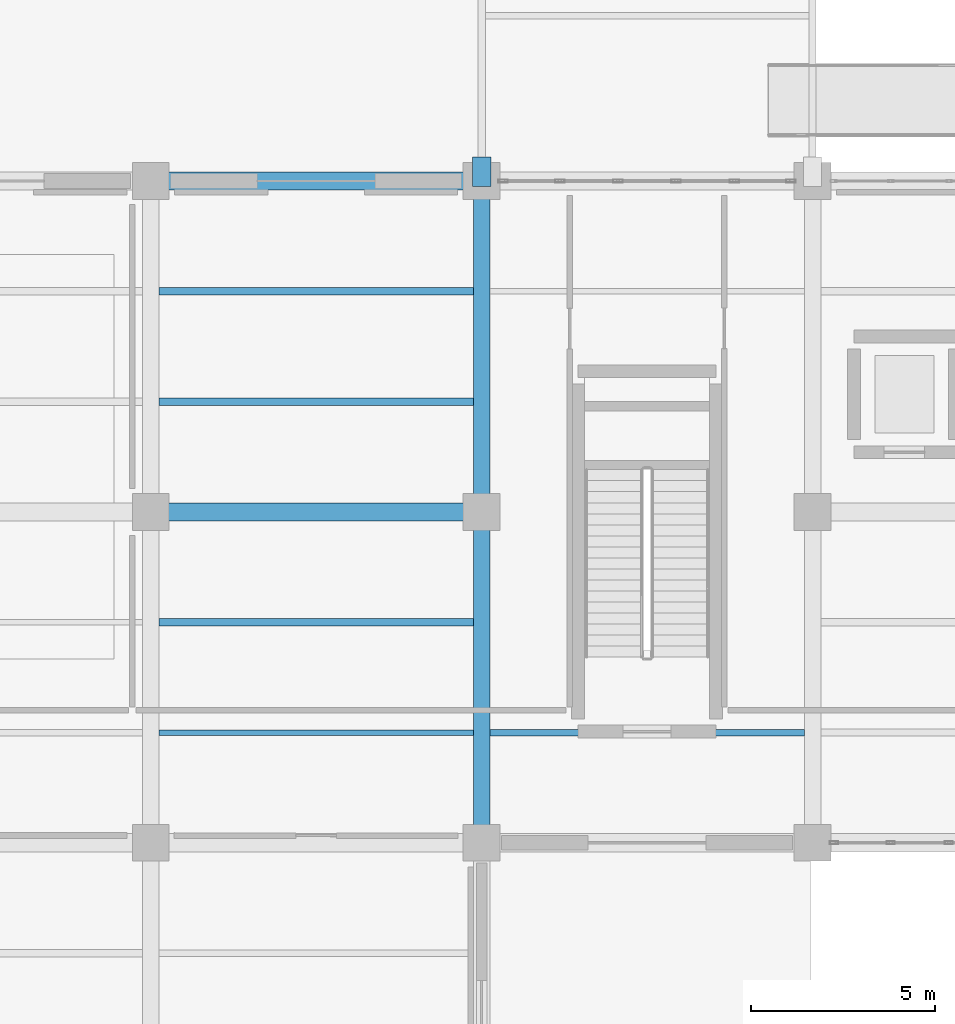
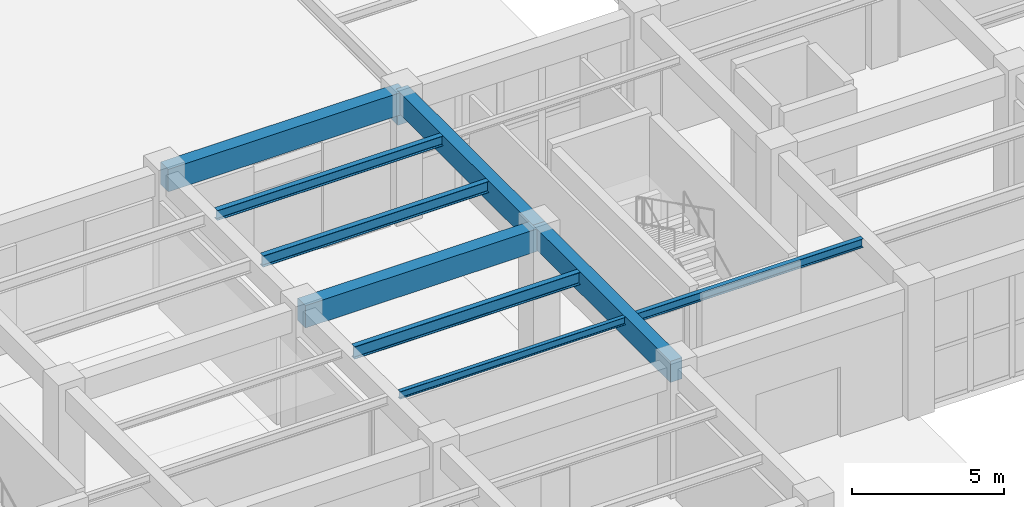
# One storey, part 79 of 140: 10 beams.
"""IFC4 building model written with IfcOpenShell, lengths in metres."""

from ifc_helpers import new_model, si_unit, direction, frame, origin, origin_2d, place, context, subcontext, project, spatial, rectangle, i_section, extrude, material, material_profile, profile_set, type_object, element, save


model = new_model("IFC4")

# Units and contexts
model_context = context("Model", 3, precision=1e-05, world=origin(), true_north=direction((0.0, 1.0)))
body_context = subcontext(model_context, "Body", "Model", "MODEL_VIEW")
ifc_project = project(units=[si_unit("LENGTHUNIT", "METRE"), si_unit("AREAUNIT", "SQUARE_METRE"), si_unit("VOLUMEUNIT", "CUBIC_METRE"), si_unit("PLANEANGLEUNIT", "RADIAN"), si_unit("MASSUNIT", "GRAM", prefix="KILO")], contexts=[model_context])

# Site, building, storey
site_placement = place(None, origin())
site = spatial("IfcSite", under=ifc_project, at=site_placement, CompositionType="ELEMENT")
building_placement = place(site_placement, origin())
building = spatial("IfcBuilding", under=site, at=building_placement, Name="Haizhuo Lancet Aquarium", CompositionType="ELEMENT")
storey_placement = place(building_placement, origin())
storey = spatial("IfcBuildingStorey", under=building, at=storey_placement, Name="L00", CompositionType="ELEMENT", Elevation=0.0)

# Beams
ifc_material_1 = material(Name="Concrete C40/50", Category="concrete")
ifc_material_profile_1 = material_profile(ifc_material_1, rectangle(XDim=0.449951171875, YDim=0.85009765625, at=origin_2d()), Name="RC-BM 450x850")
ifc_profile_set_1 = profile_set([ifc_material_profile_1], Name="Concrete C40/50")
beam_type_1 = type_object("IfcBeamType", Name="BM-RC-450x850", PredefinedType="BEAM", material=ifc_profile_set_1)
for number, where, z_axis, x_axis, name in (
    (1, (54.0, -27.0, 4.695068359375), (0.0, 1.0, 0.0), (-1.0, 0.0, 0.0), "L00 V3 primary girder BM-L00-V3-022"),
    (2, (54.0, -18.0, 4.695068359375), (0.0, 1.0, 0.0), (-1.0, 0.0, 0.0), "L00 V3 primary girder BM-L00-V3-024"),
):
    element("IfcBeam", number, at=place(storey_placement, frame(where, z_axis=z_axis, x_axis=x_axis)), inside=storey, type_object=beam_type_1, Name=name, PredefinedType="BEAM", context=body_context, shape_type="SweptSolid", body=[
        extrude(rectangle(XDim=0.449951171875, YDim=0.85009765625, at=origin_2d()), origin(), (0.0, 0.0, 1.0), 9.0),
    ])
ifc_material_profile_2 = material_profile(ifc_material_1, rectangle(XDim=0.5, YDim=0.89990234375, at=origin_2d()), Name="RC-BM 500x900")
ifc_profile_set_2 = profile_set([ifc_material_profile_2], Name="Concrete C40/50")
beam_type_2 = type_object("IfcBeamType", Name="BM-RC-500x900", PredefinedType="BEAM", material=ifc_profile_set_2)
for number, where, z_axis, x_axis, name in (
    (3, (45.0, -18.0, 4.669921875), (1.0, 0.0, 0.0), (0.0, 1.0, 0.0), "L00 V3 primary girder BM-L00-V3-019"),
    (4, (45.0, -9.0, 4.669921875), (1.0, 0.0, 0.0), (0.0, 1.0, 0.0), "L00 V3 primary girder BM-L00-V3-020"),
):
    element("IfcBeam", number, at=place(storey_placement, frame(where, z_axis=z_axis, x_axis=x_axis)), inside=storey, type_object=beam_type_2, Name=name, PredefinedType="BEAM", context=body_context, shape_type="SweptSolid", body=[
        extrude(rectangle(XDim=0.5, YDim=0.89990234375, at=origin_2d()), origin(), (0.0, 0.0, 1.0), 9.0),
    ])
beam_1_placement = place(storey_placement, frame((54.0, -9.14990234375, 4.205078125), z_axis=(0.0, 1.0, 0.0), x_axis=(-1.0, 0.0, 0.0)))
element("IfcBeam", 5, at=beam_1_placement, inside=storey, type_object=beam_type_2, Name="Reinforced concrete bridge bearing corbel SB-02 1S", PredefinedType="BEAM", context=body_context, shape_type="SweptSolid", body=[
    extrude(rectangle(XDim=0.5, YDim=0.89990234375, at=origin_2d()), origin(), (0.0, 0.0, 1.0), 0.7998046875),
])
ifc_material_2 = material(Name="Steel S355", Category="steel")
ifc_material_profile_3 = material_profile(ifc_material_2, i_section(OverallWidth=0.14990234375, OverallDepth=0.300048828125, WebThickness=0.006591796875, FlangeThickness=0.009033203125, FilletRadius=0.012939453125, at=origin_2d()), Name="HN 300x150x6.5x9")
ifc_profile_set_3 = profile_set([ifc_material_profile_3], Name="Steel S355")
beam_type_3 = type_object("IfcBeamType", Name="JST-ST-HN300", PredefinedType="JOIST", material=ifc_profile_set_3)
beam_2_placement = place(storey_placement, frame((45.22509765625, -24.0, 4.969970703125), z_axis=(1.0, 0.0, 0.0), x_axis=(0.0, 1.0, 0.0)))
element("IfcBeam", 6, at=beam_2_placement, inside=storey, type_object=beam_type_3, Name="L00 V3 secondary floor joist 13", PredefinedType="JOIST", context=body_context, shape_type="SweptSolid", body=[
    extrude(i_section(OverallWidth=0.14990234375, OverallDepth=0.300048828125, WebThickness=0.006591796875, FlangeThickness=0.009033203125, FilletRadius=0.012939453125, at=origin_2d()), origin(), (0.0, 0.0, 1.0), 8.5498046875),
])
ifc_material_profile_4 = material_profile(ifc_material_2, i_section(OverallWidth=0.175048828125, OverallDepth=0.35009765625, WebThickness=0.007080078125, FlangeThickness=0.010986328125, FilletRadius=0.013916015625, at=origin_2d()), Name="HN 350x175x7x11")
ifc_profile_set_4 = profile_set([ifc_material_profile_4], Name="Steel S355")
beam_type_4 = type_object("IfcBeamType", Name="JST-ST-HN350", PredefinedType="JOIST", material=ifc_profile_set_4)
beam_3_placement = place(storey_placement, frame((54.22509765625, -24.0, 4.945068359375), z_axis=(1.0, 0.0, 0.0), x_axis=(0.0, 1.0, 0.0)))
element("IfcBeam", 7, at=beam_3_placement, inside=storey, type_object=beam_type_4, Name="L00 V3 secondary floor joist 17", PredefinedType="JOIST", context=body_context, shape_type="SweptSolid", body=[
    extrude(i_section(OverallWidth=0.175048828125, OverallDepth=0.35009765625, WebThickness=0.007080078125, FlangeThickness=0.010986328125, FilletRadius=0.013916015625, at=origin_2d()), origin(), (0.0, 0.0, 1.0), 8.5498046875),
])
ifc_material_profile_5 = material_profile(ifc_material_2, i_section(OverallWidth=0.199951171875, OverallDepth=0.39990234375, WebThickness=0.008056640625, FlangeThickness=0.012939453125, FilletRadius=0.01611328125, at=origin_2d()), Name="HN 400x200x8x13")
ifc_profile_set_5 = profile_set([ifc_material_profile_5], Name="Steel S355")
beam_type_5 = type_object("IfcBeamType", Name="JST-ST-HN400", PredefinedType="JOIST", material=ifc_profile_set_5)
beam_4_placement = place(storey_placement, frame((45.22509765625, -12.0, 4.919921875), z_axis=(1.0, 0.0, 0.0), x_axis=(0.0, 1.0, 0.0)))
element("IfcBeam", 8, at=beam_4_placement, inside=storey, type_object=beam_type_5, Name="L00 V3 secondary floor joist 16", PredefinedType="JOIST", context=body_context, shape_type="SweptSolid", body=[
    extrude(i_section(OverallWidth=0.199951171875, OverallDepth=0.39990234375, WebThickness=0.008056640625, FlangeThickness=0.012939453125, FilletRadius=0.01611328125, at=origin_2d()), origin(), (0.0, 0.0, 1.0), 8.5498046875),
])
ifc_material_profile_6 = material_profile(ifc_material_2, i_section(OverallWidth=0.199951171875, OverallDepth=0.449951171875, WebThickness=0.009033203125, FlangeThickness=0.013916015625, FilletRadius=0.01806640625, at=origin_2d()), Name="HN 450x200x9x14")
ifc_profile_set_6 = profile_set([ifc_material_profile_6], Name="Steel S355")
beam_type_6 = type_object("IfcBeamType", Name="JST-ST-HN450", PredefinedType="JOIST", material=ifc_profile_set_6)
beam_5_placement = place(storey_placement, frame((45.22509765625, -15.0, 4.89501953125), z_axis=(1.0, 0.0, 0.0), x_axis=(0.0, 1.0, 0.0)))
element("IfcBeam", 9, at=beam_5_placement, inside=storey, type_object=beam_type_6, Name="L00 V3 secondary floor joist 15", PredefinedType="JOIST", context=body_context, shape_type="SweptSolid", body=[
    extrude(i_section(OverallWidth=0.199951171875, OverallDepth=0.449951171875, WebThickness=0.009033203125, FlangeThickness=0.013916015625, FilletRadius=0.01806640625, at=origin_2d()), origin(), (0.0, 0.0, 1.0), 8.5498046875),
])
ifc_material_profile_7 = material_profile(ifc_material_2, i_section(OverallWidth=0.199951171875, OverallDepth=0.5, WebThickness=0.010009765625, FlangeThickness=0.01611328125, FilletRadius=0.02001953125, at=origin_2d()), Name="HN 500x200x10x16")
ifc_profile_set_7 = profile_set([ifc_material_profile_7], Name="Steel S355")
beam_type_7 = type_object("IfcBeamType", Name="JST-ST-HN500", PredefinedType="JOIST", material=ifc_profile_set_7)
beam_6_placement = place(storey_placement, frame((45.22509765625, -21.0, 4.8701171875), z_axis=(1.0, 0.0, 0.0), x_axis=(0.0, 1.0, 0.0)))
element("IfcBeam", 10, at=beam_6_placement, inside=storey, type_object=beam_type_7, Name="L00 V3 secondary floor joist 14", PredefinedType="JOIST", context=body_context, shape_type="SweptSolid", body=[
    extrude(i_section(OverallWidth=0.199951171875, OverallDepth=0.5, WebThickness=0.010009765625, FlangeThickness=0.01611328125, FilletRadius=0.02001953125, at=origin_2d()), origin(), (0.0, 0.0, 1.0), 8.5498046875),
])

save(model, "model.ifc")
